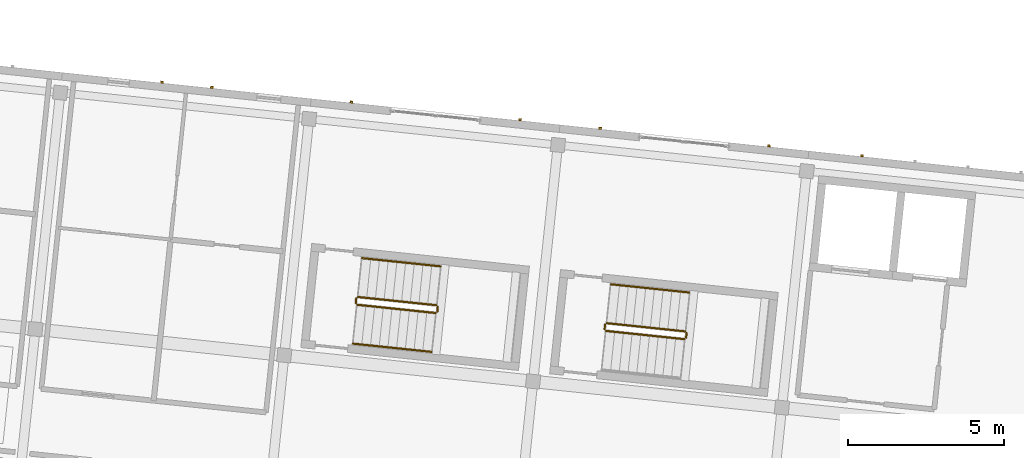
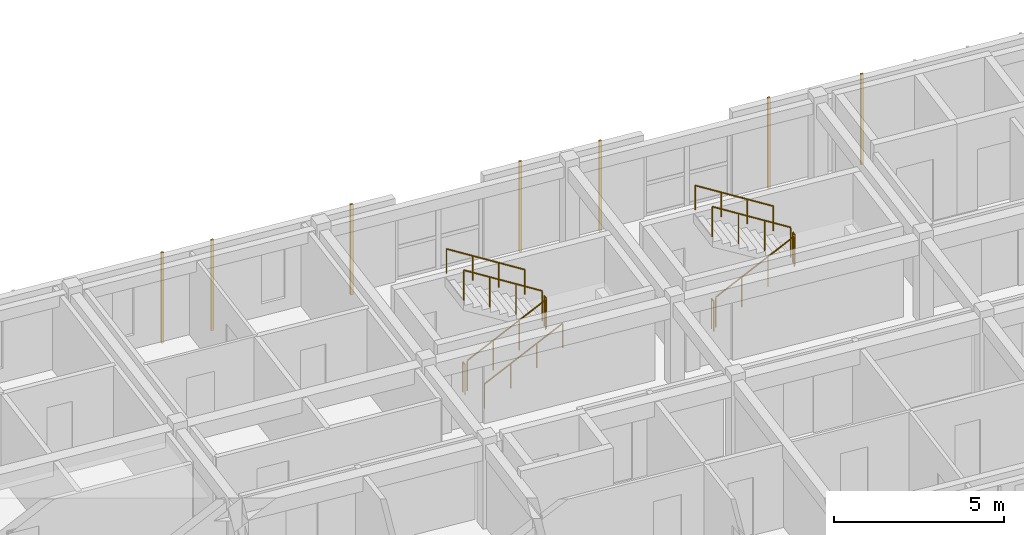
# One storey, part 44 of 45: 11 railings, 7 coverings.
"""IFC4 building model written with IfcOpenShell, lengths in metres."""

from ifc_helpers import new_model, si_unit, direction, frame, origin, origin_2d, place, context, subcontext, project, spatial, rectangle, circle, extrude, material, layer, layer_set, type_object, element, save


model = new_model("IFC4")

# Units and contexts
model_context = context("Model", 3, precision=1e-05, world=origin(), true_north=direction((0.0, 1.0)))
body_context = subcontext(model_context, "Body", "Model", "MODEL_VIEW")
ifc_project = project(units=[si_unit("LENGTHUNIT", "METRE"), si_unit("AREAUNIT", "SQUARE_METRE"), si_unit("VOLUMEUNIT", "CUBIC_METRE"), si_unit("PLANEANGLEUNIT", "RADIAN"), si_unit("MASSUNIT", "GRAM", prefix="KILO")], contexts=[model_context])

# Site, building, storey
site_placement = place(None, origin())
site = spatial("IfcSite", under=ifc_project, at=site_placement, CompositionType="ELEMENT")
building_placement = place(site_placement, origin())
building = spatial("IfcBuilding", under=site, at=building_placement, Name="Kestramere Prow Commons", CompositionType="ELEMENT")
storey_placement = place(building_placement, frame((0.0, 0.0, 31.14990234375)))
storey = spatial("IfcBuildingStorey", under=building, at=storey_placement, Name="L09", CompositionType="ELEMENT", Elevation=31.14990234375)

# Coverings
ifc_material_1 = material(Name="Weathered Zinc-Titanium Standing-Seam Cladding")
ifc_layer = layer(ifc_material_1, 0.074951171875)
ifc_layer_set = layer_set([ifc_layer], Name="Weathered Zinc-Titanium Standing-Seam Cladding")
covering_type = type_object("IfcCoveringType", Name="COV-CLAD-SEAM", PredefinedType="CLADDING", material=ifc_layer_set)
for number, where, z_axis, x_axis, name in (
    (1, (131.21435546875, 112.95947265625, -0.25), (0.0, 0.0, 1.0), (0.994521895368, -0.104528463268, 0.0), "EW-B-L09-N-2 Standing-Seam Rib 2"),
    (2, (132.8056640625, 112.792236328125, -0.25), (0.0, 0.0, 1.0), (0.994521895368, -0.104528463268, 0.0), "EW-B-L09-N-2 Standing-Seam Rib 3"),
    (3, (137.2685546875, 112.3232421875, -0.25), (0.0, 0.0, 1.0), (0.994521895368, -0.104528463268, 0.0), "EW-B-L09-NP-3-L Standing-Seam Rib 1"),
    (4, (142.663818359375, 111.756103515625, -0.25), (0.0, 0.0, 1.0), (0.994521895368, -0.104528463268, 0.0), "EW-B-L09-NP-3-R Standing-Seam Rib 1"),
    (5, (145.224609375, 111.48681640625, -0.25), (0.0, 0.0, 1.0), (0.994521895368, -0.104528463268, 0.0), "EW-B-L09-NP-4-L Standing-Seam Rib 1"),
    (6, (150.6201171875, 110.919921875, -0.25), (0.0, 0.0, 1.0), (0.994521895368, -0.104528463268, 0.0), "EW-B-L09-NP-4-R Standing-Seam Rib 1"),
    (7, (153.59619140625, 110.607177734375, -0.25), (0.0, 0.0, 1.0), (0.994521895368, -0.104528463268, 0.0), "EW-B-L09-N-5 Standing-Seam Rib 1"),
):
    element("IfcCovering", number, at=place(storey_placement, frame(where, z_axis=z_axis, x_axis=x_axis)), inside=storey, type_object=covering_type, Name=name, PredefinedType="CLADDING", context=body_context, shape_type="SweptSolid", body=[
        extrude(rectangle(XDim=0.0849609375, YDim=0.06494140625, at=origin_2d()), origin(), (0.0, 0.0, 1.0), 3.25),
    ])

# Railings
ifc_material_2 = material(Name="Galvanised Steel S275JR", Category="steel")
railing_type_1 = type_object("IfcRailingType", Name="RL-ST-GR-1100", PredefinedType="GUARDRAIL", material=ifc_material_2)
railing_1_placement = place(storey_placement, frame((137.454345703125, 105.8408203125, 0.16259765625)))
element("IfcRailing", 8, at=railing_1_placement, inside=storey, type_object=railing_type_1, Name="L09 ST-B1 stair guard 1", PredefinedType="GUARDRAIL", context=body_context, shape_type="SweptSolid", body=[
    extrude(circle(Radius=0.02392578125, at=origin_2d()), frame((0.0, 0.0, 1.076171875), z_axis=(0.860186756994, -0.09040926464, 0.501901293044), x_axis=(0.104528455675, 0.994521896166, 0.0)), (0.0, 0.0, 1.0), 2.913818359375),
    extrude(circle(Radius=0.02099609375, at=origin_2d()), origin(), (0.0, 0.0, 1.0), 1.052001953125),
    extrude(circle(Radius=0.02099609375, at=origin_2d()), frame((0.83544921875, -0.087890625, 0.487548828125)), (0.0, 0.0, 1.0), 1.052001953125),
    extrude(circle(Radius=0.02099609375, at=origin_2d()), frame((1.6708984375, -0.175537109375, 0.974853515625)), (0.0, 0.0, 1.0), 1.052001953125),
    extrude(circle(Radius=0.02099609375, at=origin_2d()), frame((2.50634765625, -0.263427734375, 1.46240234375)), (0.0, 0.0, 1.0), 1.052001953125),
])
railing_2_placement = place(storey_placement, frame((140.015625, 105.621826171875, 1.625)))
element("IfcRailing", 9, at=railing_2_placement, inside=storey, type_object=railing_type_1, Name="L09 ST-B1 stair guard 2", PredefinedType="GUARDRAIL", context=body_context, shape_type="SweptSolid", body=[
    extrude(circle(Radius=0.02392578125, at=origin_2d()), frame((0.0, 0.0, 1.076171875), z_axis=(0.104176375855, 0.994558838236, 0.0), x_axis=(-0.994558838236, 0.104176375855, 0.0)), (0.0, 0.0, 1.0), 0.14990234375),
    extrude(circle(Radius=0.02099609375, at=origin_2d()), origin(), (0.0, 0.0, 1.0), 1.052001953125),
    extrude(circle(Radius=0.02099609375, at=origin_2d()), frame((0.015625, 0.149169921875, 0.0)), (0.0, 0.0, 1.0), 1.052001953125),
])
railing_3_placement = place(storey_placement, frame((139.98681640625, 105.825927734375, 1.78759765625)))
element("IfcRailing", 10, at=railing_3_placement, inside=storey, type_object=railing_type_1, Name="L09 ST-B1 stair guard 3", PredefinedType="GUARDRAIL", context=body_context, shape_type="SweptSolid", body=[
    extrude(circle(Radius=0.02392578125, at=origin_2d()), frame((0.0, 0.0, 1.076171875), z_axis=(-0.860164962675, 0.090415781269, 0.501937469695), x_axis=(-0.104538527394, -0.994520837534, 0.0)), (0.0, 0.0, 1.0), 2.91357421875),
    extrude(circle(Radius=0.02099609375, at=origin_2d()), origin(), (0.0, 0.0, 1.0), 1.052001953125),
    extrude(circle(Radius=0.02099609375, at=origin_2d()), frame((-0.83544921875, 0.087890625, 0.487548828125)), (0.0, 0.0, 1.0), 1.052001953125),
    extrude(circle(Radius=0.02099609375, at=origin_2d()), frame((-1.670654296875, 0.175537109375, 0.974853515625)), (0.0, 0.0, 1.0), 1.052001953125),
    extrude(circle(Radius=0.02099609375, at=origin_2d()), frame((-2.506103515625, 0.263427734375, 1.46240234375)), (0.0, 0.0, 1.0), 1.052001953125),
])
railing_4_placement = place(storey_placement, frame((137.409912109375, 105.895751953125, 0.0)))
element("IfcRailing", 11, at=railing_4_placement, inside=storey, type_object=railing_type_1, Name="L09 ST-B1 stair guard 4", PredefinedType="GUARDRAIL", context=body_context, shape_type="SweptSolid", body=[
    extrude(circle(Radius=0.02392578125, at=origin_2d()), frame((0.0, 0.0, 1.076171875), z_axis=(0.104176375855, 0.994558838236, 0.0), x_axis=(-0.994558838236, 0.104176375855, 0.0)), (0.0, 0.0, 1.0), 0.14990234375),
    extrude(circle(Radius=0.02099609375, at=origin_2d()), origin(), (0.0, 0.0, 1.0), 1.052001953125),
    extrude(circle(Radius=0.02099609375, at=origin_2d()), frame((0.015625, 0.149169921875, 0.0)), (0.0, 0.0, 1.0), 1.052001953125),
])
railing_5_placement = place(storey_placement, frame((145.41064453125, 105.00439453125, 0.16259765625)))
element("IfcRailing", 12, at=railing_5_placement, inside=storey, type_object=railing_type_1, Name="L09 ST-B2 stair guard 1", PredefinedType="GUARDRAIL", context=body_context, shape_type="SweptSolid", body=[
    extrude(circle(Radius=0.02392578125, at=origin_2d()), frame((0.0, 0.0, 1.076171875), z_axis=(0.860164962675, -0.090415781269, 0.501937469695), x_axis=(0.104538527394, 0.994520837534, 0.0)), (0.0, 0.0, 1.0), 2.91357421875),
    extrude(circle(Radius=0.02099609375, at=origin_2d()), origin(), (0.0, 0.0, 1.0), 1.052001953125),
    extrude(circle(Radius=0.02099609375, at=origin_2d()), frame((0.83544921875, -0.087890625, 0.487548828125)), (0.0, 0.0, 1.0), 1.052001953125),
    extrude(circle(Radius=0.02099609375, at=origin_2d()), frame((1.670654296875, -0.175537109375, 0.974853515625)), (0.0, 0.0, 1.0), 1.052001953125),
    extrude(circle(Radius=0.02099609375, at=origin_2d()), frame((2.506103515625, -0.263427734375, 1.46240234375)), (0.0, 0.0, 1.0), 1.052001953125),
])
railing_6_placement = place(storey_placement, frame((147.9716796875, 104.78564453125, 1.625)))
element("IfcRailing", 13, at=railing_6_placement, inside=storey, type_object=railing_type_1, Name="L09 ST-B2 stair guard 2", PredefinedType="GUARDRAIL", context=body_context, shape_type="SweptSolid", body=[
    extrude(circle(Radius=0.02392578125, at=origin_2d()), frame((0.0, 0.0, 1.076171875), z_axis=(0.105786054594, 0.994388913179, 0.0), x_axis=(-0.994388913179, 0.105786054594, 0.0)), (0.0, 0.0, 1.0), 0.14990234375),
    extrude(circle(Radius=0.02099609375, at=origin_2d()), origin(), (0.0, 0.0, 1.0), 1.052001953125),
    extrude(circle(Radius=0.02099609375, at=origin_2d()), frame((0.015869140625, 0.149169921875, 0.0)), (0.0, 0.0, 1.0), 1.052001953125),
])
railing_7_placement = place(storey_placement, frame((147.94287109375, 104.98974609375, 1.78759765625)))
element("IfcRailing", 14, at=railing_7_placement, inside=storey, type_object=railing_type_1, Name="L09 ST-B2 stair guard 3", PredefinedType="GUARDRAIL", context=body_context, shape_type="SweptSolid", body=[
    extrude(circle(Radius=0.02392578125, at=origin_2d()), frame((0.0, 0.0, 1.076171875), z_axis=(-0.860164962675, 0.090415781269, 0.501937469695), x_axis=(-0.104538527394, -0.994520837534, 0.0)), (0.0, 0.0, 1.0), 2.91357421875),
    extrude(circle(Radius=0.02099609375, at=origin_2d()), origin(), (0.0, 0.0, 1.0), 1.052001953125),
    extrude(circle(Radius=0.02099609375, at=origin_2d()), frame((-0.83544921875, 0.087890625, 0.487548828125)), (0.0, 0.0, 1.0), 1.052001953125),
    extrude(circle(Radius=0.02099609375, at=origin_2d()), frame((-1.670654296875, 0.175537109375, 0.974853515625)), (0.0, 0.0, 1.0), 1.052001953125),
    extrude(circle(Radius=0.02099609375, at=origin_2d()), frame((-2.506103515625, 0.263427734375, 1.46240234375)), (0.0, 0.0, 1.0), 1.052001953125),
])
railing_8_placement = place(storey_placement, frame((145.3662109375, 105.059326171875, 0.0)))
element("IfcRailing", 15, at=railing_8_placement, inside=storey, type_object=railing_type_1, Name="L09 ST-B2 stair guard 4", PredefinedType="GUARDRAIL", context=body_context, shape_type="SweptSolid", body=[
    extrude(circle(Radius=0.02392578125, at=origin_2d()), frame((0.0, 0.0, 1.076171875), z_axis=(0.104176375855, 0.994558838236, 0.0), x_axis=(-0.994558838236, 0.104176375855, 0.0)), (0.0, 0.0, 1.0), 0.14990234375),
    extrude(circle(Radius=0.02099609375, at=origin_2d()), origin(), (0.0, 0.0, 1.0), 1.052001953125),
    extrude(circle(Radius=0.02099609375, at=origin_2d()), frame((0.015625, 0.149169921875, 0.0)), (0.0, 0.0, 1.0), 1.052001953125),
])
ifc_material_3 = material(Name="Stainless Steel 304", Category="steel")
railing_type_2 = type_object("IfcRailingType", Name="RL-ST-HR-900", PredefinedType="HANDRAIL", material=ifc_material_3)
railing_9_placement = place(storey_placement, frame((137.32373046875, 104.59765625, 0.3251953125)))
element("IfcRailing", 16, at=railing_9_placement, inside=storey, type_object=railing_type_2, Name="L09 ST-B1 stair handrail 1", PredefinedType="HANDRAIL", context=body_context, shape_type="SweptSolid", body=[
    extrude(circle(Radius=0.02392578125, at=origin_2d()), frame((0.0, 0.0, 0.8759765625), z_axis=(0.860186756994, -0.09040926464, 0.501901293044), x_axis=(0.104528455675, 0.994521896166, 0.0)), (0.0, 0.0, 1.0), 2.913818359375),
    extrude(circle(Radius=0.02099609375, at=origin_2d()), origin(), (0.0, 0.0, 1.0), 0.851806640625),
    extrude(circle(Radius=0.02099609375, at=origin_2d()), frame((0.83544921875, -0.087890625, 0.487548828125)), (0.0, 0.0, 1.0), 0.851806640625),
    extrude(circle(Radius=0.02099609375, at=origin_2d()), frame((1.6708984375, -0.175537109375, 0.974853515625)), (0.0, 0.0, 1.0), 0.851806640625),
    extrude(circle(Radius=0.02099609375, at=origin_2d()), frame((2.50634765625, -0.263427734375, 1.46240234375)), (0.0, 0.0, 1.0), 0.851806640625),
])
railing_10_placement = place(storey_placement, frame((140.117431640625, 107.069091796875, 1.9501953125)))
element("IfcRailing", 17, at=railing_10_placement, inside=storey, type_object=railing_type_2, Name="L09 ST-B1 stair handrail 2", PredefinedType="HANDRAIL", context=body_context, shape_type="SweptSolid", body=[
    extrude(circle(Radius=0.02392578125, at=origin_2d()), frame((0.0, 0.0, 0.8759765625), z_axis=(-0.860164962675, 0.090415781269, 0.501937469695), x_axis=(-0.104538527394, -0.994520837534, 0.0)), (0.0, 0.0, 1.0), 2.91357421875),
    extrude(circle(Radius=0.02099609375, at=origin_2d()), origin(), (0.0, 0.0, 1.0), 0.851806640625),
    extrude(circle(Radius=0.02099609375, at=origin_2d()), frame((-0.83544921875, 0.087890625, 0.487548828125)), (0.0, 0.0, 1.0), 0.851806640625),
    extrude(circle(Radius=0.02099609375, at=origin_2d()), frame((-1.670654296875, 0.175537109375, 0.974853515625)), (0.0, 0.0, 1.0), 0.851806640625),
    extrude(circle(Radius=0.02099609375, at=origin_2d()), frame((-2.506103515625, 0.263427734375, 1.46240234375)), (0.0, 0.0, 1.0), 0.851806640625),
])
railing_11_placement = place(storey_placement, frame((148.07373046875, 106.23291015625, 1.9501953125)))
element("IfcRailing", 18, at=railing_11_placement, inside=storey, type_object=railing_type_2, Name="L09 ST-B2 stair handrail 2", PredefinedType="HANDRAIL", context=body_context, shape_type="SweptSolid", body=[
    extrude(circle(Radius=0.02392578125, at=origin_2d()), frame((0.0, 0.0, 0.8759765625), z_axis=(-0.860186756994, 0.09040926464, 0.501901293044), x_axis=(-0.104528455675, -0.994521896166, 0.0)), (0.0, 0.0, 1.0), 2.913818359375),
    extrude(circle(Radius=0.02099609375, at=origin_2d()), origin(), (0.0, 0.0, 1.0), 0.851806640625),
    extrude(circle(Radius=0.02099609375, at=origin_2d()), frame((-0.83544921875, 0.087890625, 0.487548828125)), (0.0, 0.0, 1.0), 0.851806640625),
    extrude(circle(Radius=0.02099609375, at=origin_2d()), frame((-1.6708984375, 0.175537109375, 0.974853515625)), (0.0, 0.0, 1.0), 0.851806640625),
    extrude(circle(Radius=0.02099609375, at=origin_2d()), frame((-2.50634765625, 0.263427734375, 1.46240234375)), (0.0, 0.0, 1.0), 0.851806640625),
])

save(model, "model.ifc")
